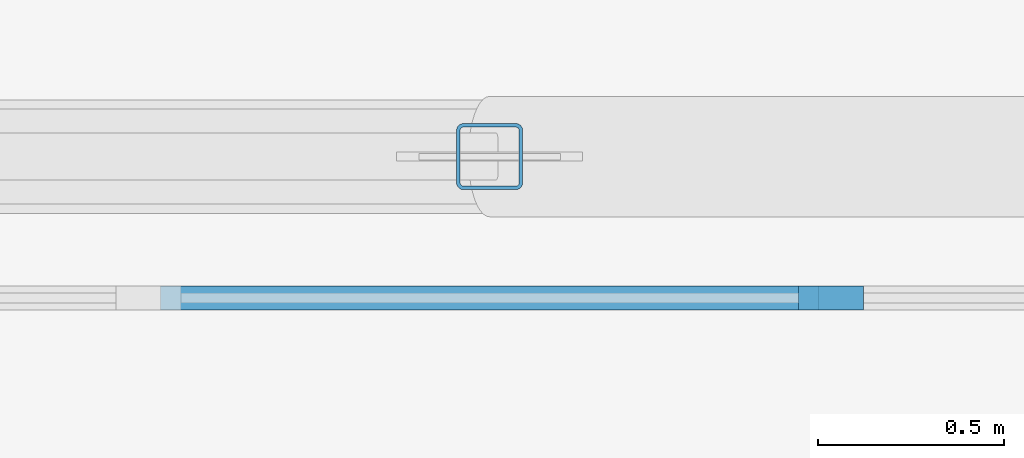
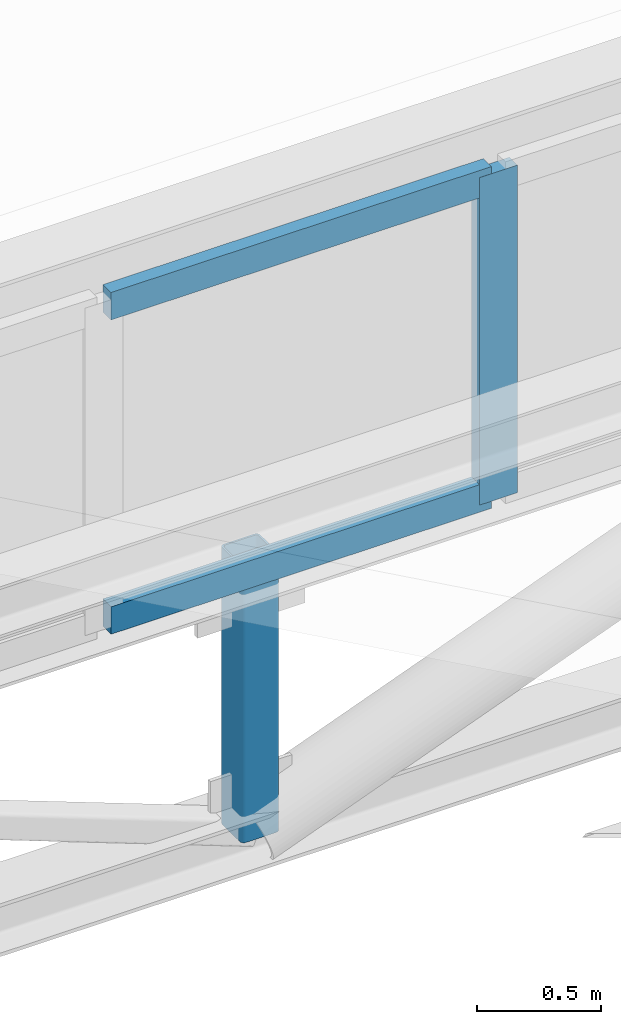
# One storey, part 15 of 98: 4 members, 1 element without a shape of its own.
"""IFC4 building model written with IfcOpenShell, lengths in metres."""

from ifc_helpers import new_model, si_unit, direction, frame, origin, origin_2d, place, context, subcontext, project, spatial, rectangle, hollow_rectangle, extrude, material, layer, layer_set, material_profile, profile_set, type_object, element, aggregate, save


model = new_model("IFC4")

# Units and contexts
model_context = context("Model", 3, precision=1e-05, world=origin(), true_north=direction((0.0, 1.0)))
body_context = subcontext(model_context, "Body", "Model", "MODEL_VIEW")
ifc_project = project(units=[si_unit("LENGTHUNIT", "METRE"), si_unit("AREAUNIT", "SQUARE_METRE"), si_unit("VOLUMEUNIT", "CUBIC_METRE"), si_unit("PLANEANGLEUNIT", "RADIAN"), si_unit("MASSUNIT", "GRAM", prefix="KILO")], contexts=[model_context])

# Site, building, storey
site_placement = place(None, origin())
site = spatial("IfcSite", under=ifc_project, at=site_placement, CompositionType="ELEMENT")
building_placement = place(site_placement, origin())
building = spatial("IfcBuilding", under=site, at=building_placement, Name="Solenvale Faculty of Natural Sciences", CompositionType="ELEMENT")
storey_placement = place(building_placement, frame((0.0, 0.0, 9.0)))
storey = spatial("IfcBuildingStorey", under=building, at=storey_placement, Name="L02", CompositionType="ELEMENT", Elevation=9.0)

# Curtain wall, members
ifc_material_1 = material(Name="Anodised bronze aluminium", Category="aluminium")
ifc_layer = layer(ifc_material_1, 0.1650390625)
ifc_layer_set = layer_set([ifc_layer], Name="Anodised bronze aluminium")
curtain_wall_type = type_object("IfcCurtainWallType", Name="CW-SAW-CLR", PredefinedType="USERDEFINED", material=ifc_layer_set)
curtain_wall_placement = place(storey_placement, origin())
curtain_wall = element("IfcCurtainWall", 1, at=curtain_wall_placement, inside=storey, type_object=curtain_wall_type, Name="L02 Curtain Wall SAW-V1-CW-3-1", ObjectType="NORTH LIGHT CLERESTORY", PredefinedType="USERDEFINED")
ifc_material_profile_1 = material_profile(ifc_material_1, rectangle(XDim=0.06494140625, YDim=0.175048828125, at=origin_2d()), Name="ALU-MUL-65x175")
ifc_profile_set_1 = profile_set([ifc_material_profile_1], Name="Anodised bronze aluminium")
member_type_1 = type_object("IfcMemberType", Name="CWM-ALU-65x175", PredefinedType="MULLION", material=ifc_profile_set_1)
member_1_placement = place(storey_placement, frame((15.3173828125, 21.219970703125, 2.22998046875), z_axis=(0.0, 0.0, 1.0), x_axis=(0.0, -1.0, 0.0)))
member_1 = element("IfcMember", 2, at=member_1_placement, type_object=member_type_1, Name="CW-05 mullion 8", PredefinedType="MULLION", context=body_context, shape_type="SweptSolid", body=[
    extrude(rectangle(XDim=0.06494140625, YDim=0.175048828125, at=origin_2d()), origin(), (0.0, 0.0, 1.0), 1.610107421875),
])
ifc_material_profile_2 = material_profile(ifc_material_1, rectangle(XDim=0.06494140625, YDim=0.135009765625, at=origin_2d()), Name="ALU-TRN-65x135")
ifc_profile_set_2 = profile_set([ifc_material_profile_2], Name="Anodised bronze aluminium")
member_type_2 = type_object("IfcMemberType", Name="CWT-ALU-65x135", PredefinedType="USERDEFINED", material=ifc_profile_set_2)
member_2_placement = place(storey_placement, frame((15.284912109375, 21.219970703125, 2.262451171875), z_axis=(-1.0, 0.0, 0.0), x_axis=(0.0, -1.0, 0.0)))
member_2 = element("IfcMember", 3, at=member_2_placement, type_object=member_type_2, Name="CW-05 transom 8.1", ObjectType="TRANSOM", PredefinedType="USERDEFINED", context=body_context, shape_type="SweptSolid", body=[
    extrude(rectangle(XDim=0.06494140625, YDim=0.135009765625, at=origin_2d()), origin(), (0.0, 0.0, 1.0), 1.769775390625),
])
member_3_placement = place(storey_placement, frame((15.284912109375, 21.219970703125, 3.8076171875), z_axis=(-1.0, 0.0, 0.0), x_axis=(0.0, -1.0, 0.0)))
member_3 = element("IfcMember", 4, at=member_3_placement, type_object=member_type_2, Name="CW-05 transom 8.2", ObjectType="TRANSOM", PredefinedType="USERDEFINED", context=body_context, shape_type="SweptSolid", body=[
    extrude(rectangle(XDim=0.06494140625, YDim=0.135009765625, at=origin_2d()), origin(), (0.0, 0.0, 1.0), 1.769775390625),
])
aggregate(curtain_wall, [member_1, member_2, member_3])

# Member
ifc_material_2 = material(Name="Steel S355", Category="steel")
ifc_material_profile_3 = material_profile(ifc_material_2, hollow_rectangle(XDim=0.177978515625, YDim=0.177978515625, WallThickness=0.009521484375, InnerFilletRadius=0.009521484375, OuterFilletRadius=0.01904296875, at=origin_2d()), Name="HSS178x178x9.5")
ifc_profile_set_3 = profile_set([ifc_material_profile_3], Name="Steel S355")
member_type_3 = type_object("IfcMemberType", Name="MB-STR-HSS178", PredefinedType="STRUT", material=ifc_profile_set_3)
member_4_placement = place(storey_placement, frame((14.39990234375, 21.60009765625, 0.68994140625), z_axis=(0.0, 0.0, 1.0), x_axis=(1.0, 0.0, 0.0)))
element("IfcMember", 5, at=member_4_placement, inside=storey, type_object=member_type_3, Name="V1 Truss 3.1 Strut 4", PredefinedType="STRUT", context=body_context, shape_type="SweptSolid", body=[
    extrude(hollow_rectangle(XDim=0.177978515625, YDim=0.177978515625, WallThickness=0.009521484375, InnerFilletRadius=0.009521484375, OuterFilletRadius=0.01904296875, at=origin_2d()), origin(), (0.0, 0.0, 1.0), 1.360107421875),
])

save(model, "model.ifc")
